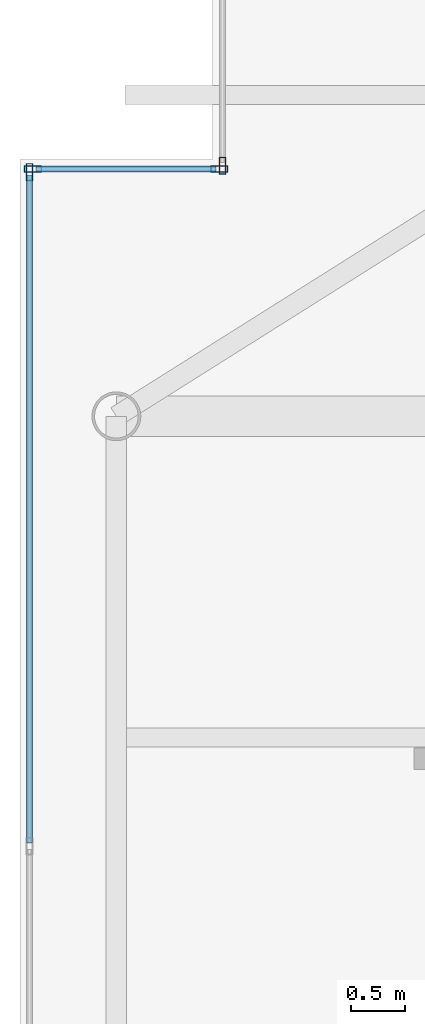
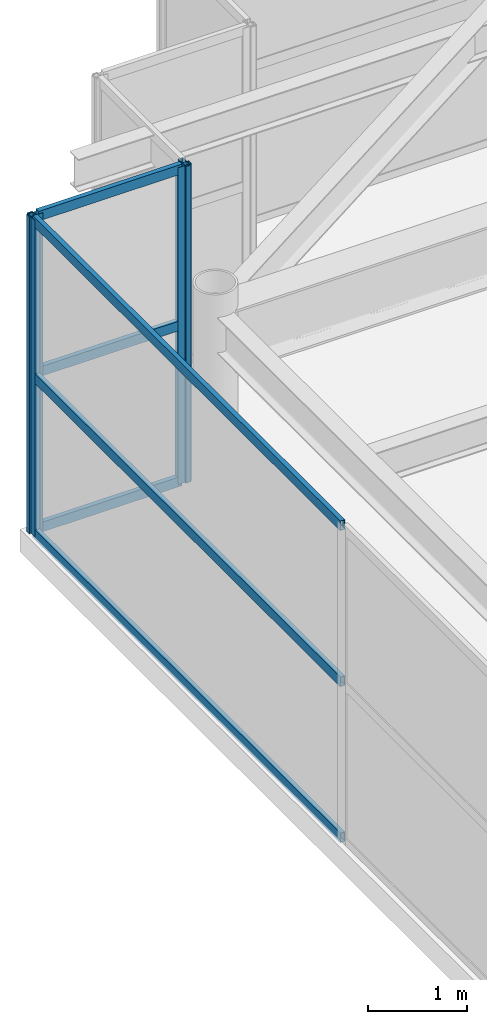
# One storey, part 20 of 33: 10 members, 3 elements without a shape of their own.
"""IFC4 building model written with IfcOpenShell, lengths in metres."""

from ifc_helpers import new_model, si_unit, direction, frame, origin, origin_2d, place, context, subcontext, project, spatial, hollow_rectangle, extrude, source, transform, mapped, material, layer, layer_set, material_profile, profile_set, type_object, element, aggregate, save


model = new_model("IFC4")

# Units and contexts
model_context = context("Model", 3, precision=1e-05, world=origin(), true_north=direction((0.0, 1.0)))
body_context = subcontext(model_context, "Body", "Model", "MODEL_VIEW")
ifc_project = project(units=[si_unit("LENGTHUNIT", "METRE"), si_unit("AREAUNIT", "SQUARE_METRE"), si_unit("VOLUMEUNIT", "CUBIC_METRE"), si_unit("PLANEANGLEUNIT", "RADIAN"), si_unit("MASSUNIT", "GRAM", prefix="KILO")], contexts=[model_context])

# Site, building, storey
site_placement = place(None, origin())
site = spatial("IfcSite", under=ifc_project, at=site_placement, CompositionType="ELEMENT")
building_placement = place(site_placement, origin())
building = spatial("IfcBuilding", under=site, at=building_placement, Name="Khoralis Quay Care Tower", CompositionType="ELEMENT")
storey_placement = place(building_placement, frame((0.0, 0.0, 302.10009765625)))
storey = spatial("IfcBuildingStorey", under=building, at=storey_placement, Name="L79", CompositionType="ELEMENT", Elevation=302.10009765625)

# Curtain wall, members
ifc_material = material(Name="Pale anodised aluminium", Category="aluminium")
ifc_layer = layer(ifc_material, 0.199951171875)
ifc_layer_set = layer_set([ifc_layer], Name="Pale anodised aluminium")
curtain_wall_type = type_object("IfcCurtainWallType", Name="CW-SYS-LANTERN", PredefinedType="NOTDEFINED", material=ifc_layer_set)
curtain_wall_1_placement = place(storey_placement, origin())
curtain_wall_1 = element("IfcCurtainWall", 1, at=curtain_wall_1_placement, inside=storey, type_object=curtain_wall_type, Name="L79 Unitised Curtain Wall CW-LN-L79-16", PredefinedType="NOTDEFINED")
ifc_material_profile_1 = material_profile(ifc_material, hollow_rectangle(XDim=0.054931640625, YDim=0.1201171875, WallThickness=0.00390625, at=origin_2d()), Name="Pale anodised aluminium")
ifc_profile_set_1 = profile_set([ifc_material_profile_1], Name="Pale anodised aluminium")
member_type_1 = type_object("IfcMemberType", Name="CW-TRN-120", PredefinedType="USERDEFINED", material=ifc_profile_set_1)
shared_shape_1 = source(origin(), body_context, "Body", "SweptSolid", [
    extrude(hollow_rectangle(XDim=0.054931640625, YDim=0.1201171875, WallThickness=0.00390625, at=origin_2d()), origin(), (0.0, 0.0, 1.0), 6.23388671875),
])
member_1_placement = place(storey_placement, frame((3.090087890625, 38.25, 0.02978515625), z_axis=(0.0, -1.0, 0.0), x_axis=(1.0, 0.0, 0.0)))
member_1 = element("IfcMember", 2, at=member_1_placement, type_object=member_type_1, Name="CW5 transom 1.1", ObjectType="TRANSOM", PredefinedType="USERDEFINED", context=body_context, shape_type="MappedRepresentation", body=[
    mapped(shared_shape_1, transform((0.0, 0.0, 0.0), scale=1.0)),
])
member_2_placement = place(storey_placement, frame((3.090087890625, 38.25, 1.9599609375), z_axis=(0.0, -1.0, 0.0), x_axis=(1.0, 0.0, 0.0)))
member_2 = element("IfcMember", 3, at=member_2_placement, type_object=member_type_1, Name="CW5 transom 1.2", ObjectType="TRANSOM", PredefinedType="USERDEFINED", context=body_context, shape_type="MappedRepresentation", body=[
    mapped(shared_shape_1, transform((0.0, 0.0, 0.0), scale=1.0)),
])
member_3_placement = place(storey_placement, frame((3.090087890625, 38.25, 3.889892578125), z_axis=(0.0, -1.0, 0.0), x_axis=(1.0, 0.0, 0.0)))
member_3 = element("IfcMember", 4, at=member_3_placement, type_object=member_type_1, Name="CW5 transom 1.3", ObjectType="TRANSOM", PredefinedType="USERDEFINED", context=body_context, shape_type="MappedRepresentation", body=[
    mapped(shared_shape_1, transform((0.0, 0.0, 0.0), scale=1.0)),
])

curtain_wall_2_placement = place(storey_placement, origin())
curtain_wall_2 = element("IfcCurtainWall", 5, at=curtain_wall_2_placement, inside=storey, type_object=curtain_wall_type, Name="L79 Unitised Curtain Wall CW-LN-L79-15", PredefinedType="NOTDEFINED")
shared_shape_2 = source(origin(), body_context, "Body", "SweptSolid", [
    extrude(hollow_rectangle(XDim=0.054931640625, YDim=0.1201171875, WallThickness=0.00390625, at=origin_2d()), origin(), (0.0, 0.0, 1.0), 1.68017578125),
])
member_4_placement = place(storey_placement, frame((4.830078125, 38.31005859375, 0.02978515625), z_axis=(-1.0, 0.0, 0.0), x_axis=(0.0, -1.0, 0.0)))
member_4 = element("IfcMember", 6, at=member_4_placement, type_object=member_type_1, Name="CW5 transom 1.1", ObjectType="TRANSOM", PredefinedType="USERDEFINED", context=body_context, shape_type="MappedRepresentation", body=[
    mapped(shared_shape_2, transform((0.0, 0.0, 0.0), scale=1.0)),
])
member_5_placement = place(storey_placement, frame((4.830078125, 38.31005859375, 1.9599609375), z_axis=(-1.0, 0.0, 0.0), x_axis=(0.0, -1.0, 0.0)))
member_5 = element("IfcMember", 7, at=member_5_placement, type_object=member_type_1, Name="CW5 transom 1.2", ObjectType="TRANSOM", PredefinedType="USERDEFINED", context=body_context, shape_type="MappedRepresentation", body=[
    mapped(shared_shape_2, transform((0.0, 0.0, 0.0), scale=1.0)),
])
member_6_placement = place(storey_placement, frame((4.830078125, 38.31005859375, 3.889892578125), z_axis=(-1.0, 0.0, 0.0), x_axis=(0.0, -1.0, 0.0)))
member_6 = element("IfcMember", 8, at=member_6_placement, type_object=member_type_1, Name="CW5 transom 1.3", ObjectType="TRANSOM", PredefinedType="USERDEFINED", context=body_context, shape_type="MappedRepresentation", body=[
    mapped(shared_shape_2, transform((0.0, 0.0, 0.0), scale=1.0)),
])

# Curtain wall, member
curtain_wall_3_placement = place(storey_placement, origin())
curtain_wall_3 = element("IfcCurtainWall", 9, at=curtain_wall_3_placement, inside=storey, type_object=curtain_wall_type, Name="L79 Unitised Curtain Wall CW-LN-L79-14", PredefinedType="NOTDEFINED")
ifc_material_profile_2 = material_profile(ifc_material, hollow_rectangle(XDim=0.06005859375, YDim=0.159912109375, WallThickness=0.00390625, at=origin_2d()), Name="Pale anodised aluminium")
ifc_profile_set_2 = profile_set([ifc_material_profile_2], Name="Pale anodised aluminium")
member_type_2 = type_object("IfcMemberType", Name="CW-MUL-160", PredefinedType="MULLION", material=ifc_profile_set_2)
shared_shape_3 = source(origin(), body_context, "Body", "SweptSolid", [
    extrude(hollow_rectangle(XDim=0.06005859375, YDim=0.159912109375, WallThickness=0.00390625, at=origin_2d()), origin(), (0.0, 0.0, 1.0), 3.919921875),
])
member_7_placement = place(storey_placement, frame((4.889892578125, 38.340087890625, 0.0), z_axis=(0.0, 0.0, 1.0), x_axis=(1.0, 0.0, 0.0)))
member_7 = element("IfcMember", 10, at=member_7_placement, type_object=member_type_2, Name="CW5 mullion 2", PredefinedType="MULLION", context=body_context, shape_type="MappedRepresentation", body=[
    mapped(shared_shape_3, transform((0.0, 0.0, 0.0), scale=1.0)),
])
aggregate(curtain_wall_3, [member_7])

# Member
member_8_placement = place(storey_placement, frame((4.860107421875, 38.31005859375, 0.0), z_axis=(0.0, 0.0, 1.0), x_axis=(0.0, -1.0, 0.0)))
member_8 = element("IfcMember", 11, at=member_8_placement, type_object=member_type_2, Name="CW5 mullion 1", PredefinedType="MULLION", context=body_context, shape_type="MappedRepresentation", body=[
    mapped(shared_shape_3, transform((0.0, 0.0, 0.0), scale=1.0)),
])

member_9_placement = place(storey_placement, frame((3.1201171875, 38.31005859375, 0.0), z_axis=(0.0, 0.0, 1.0), x_axis=(0.0, -1.0, 0.0)))
member_9 = element("IfcMember", 12, at=member_9_placement, type_object=member_type_2, Name="CW5 mullion 2", PredefinedType="MULLION", context=body_context, shape_type="MappedRepresentation", body=[
    mapped(shared_shape_3, transform((0.0, 0.0, 0.0), scale=1.0)),
])

aggregate(curtain_wall_2, [member_8, member_9, member_4, member_5, member_6])

member_10_placement = place(storey_placement, frame((3.090087890625, 38.280029296875, 0.0), z_axis=(0.0, 0.0, 1.0), x_axis=(1.0, 0.0, 0.0)))
member_10 = element("IfcMember", 13, at=member_10_placement, type_object=member_type_2, Name="CW5 mullion 1", PredefinedType="MULLION", context=body_context, shape_type="MappedRepresentation", body=[
    mapped(shared_shape_3, transform((0.0, 0.0, 0.0), scale=1.0)),
])

aggregate(curtain_wall_1, [member_10, member_1, member_2, member_3])

save(model, "model.ifc")
